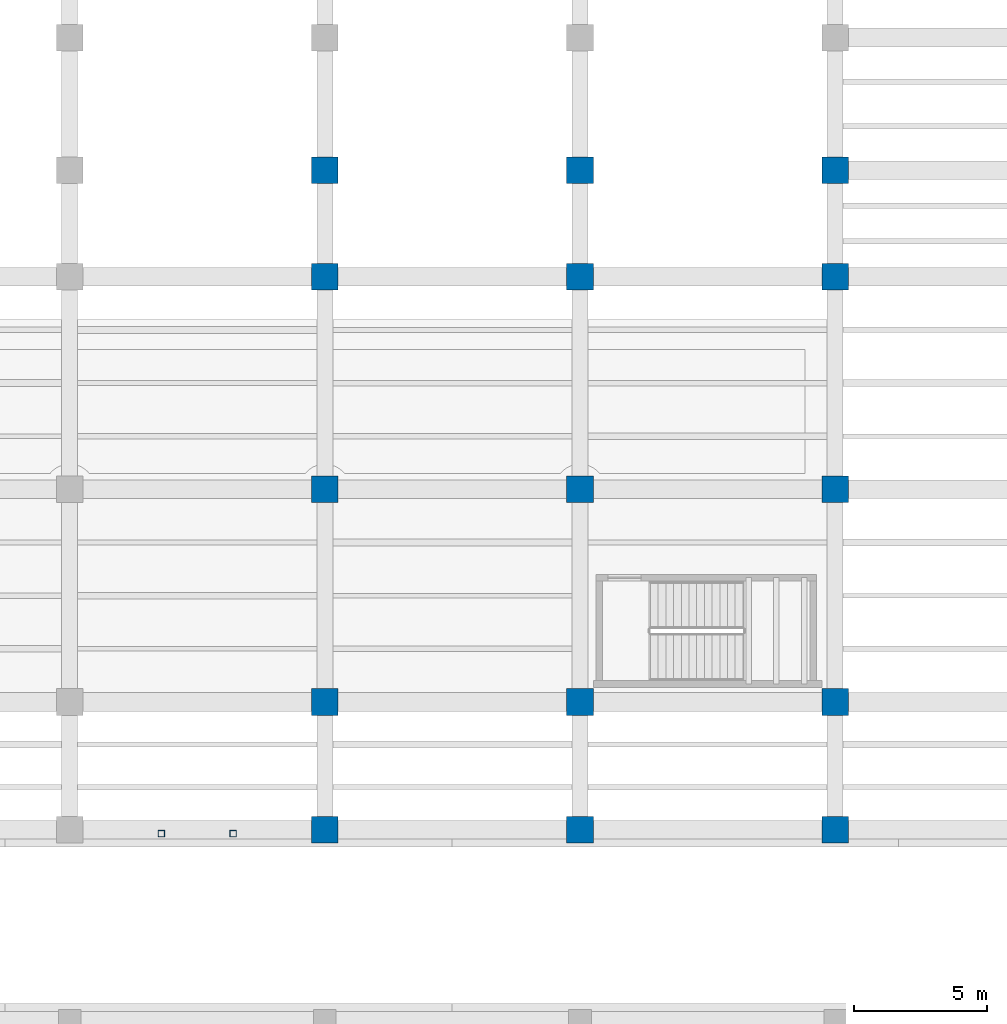
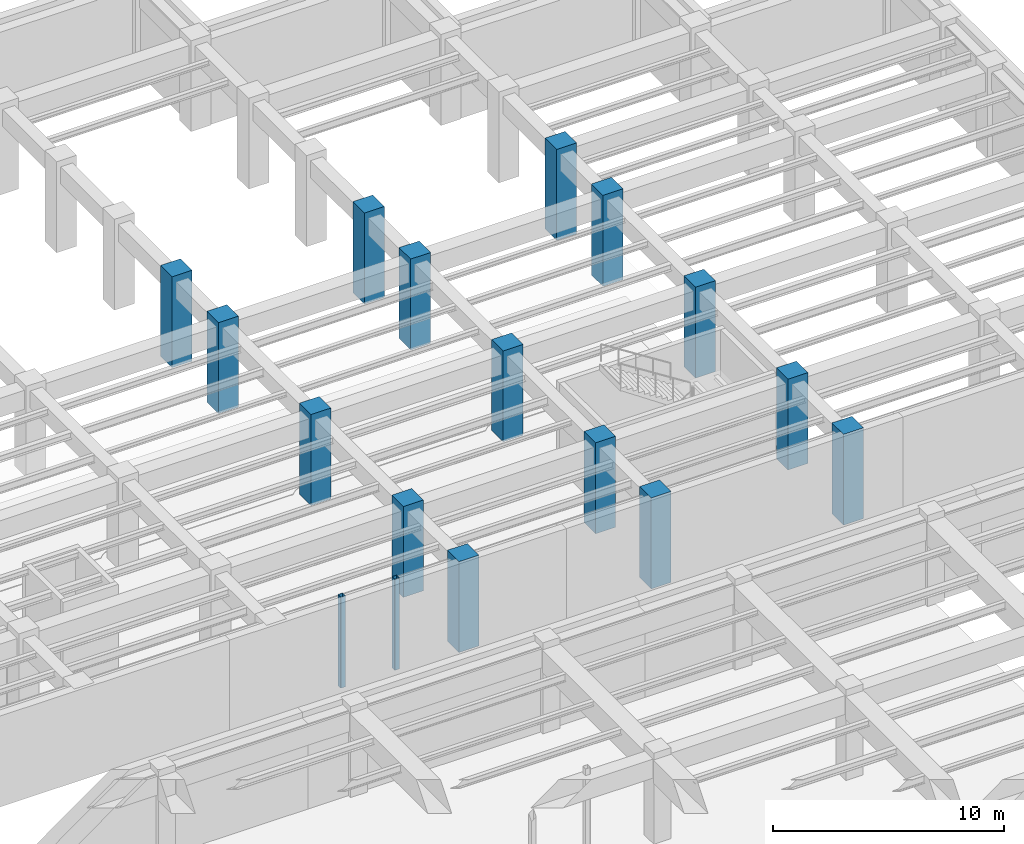
# One storey, part 13 of 45: 17 columns.
"""IFC4 building model written with IfcOpenShell, lengths in metres."""

from ifc_helpers import new_model, si_unit, direction, frame, origin, origin_2d, place, context, subcontext, project, spatial, rectangle, hollow_rectangle, extrude, material, material_profile, profile_set, type_object, element, save


model = new_model("IFC4")

# Units and contexts
model_context = context("Model", 3, precision=1e-05, world=origin(), true_north=direction((0.0, 1.0)))
body_context = subcontext(model_context, "Body", "Model", "MODEL_VIEW")
ifc_project = project(units=[si_unit("LENGTHUNIT", "METRE"), si_unit("AREAUNIT", "SQUARE_METRE"), si_unit("VOLUMEUNIT", "CUBIC_METRE"), si_unit("PLANEANGLEUNIT", "RADIAN"), si_unit("MASSUNIT", "GRAM", prefix="KILO")], contexts=[model_context])

# Site, building, storey
site_placement = place(None, origin())
site = spatial("IfcSite", under=ifc_project, at=site_placement, CompositionType="ELEMENT")
building_placement = place(site_placement, origin())
building = spatial("IfcBuilding", under=site, at=building_placement, Name="Mavantir Sound Aquarium", CompositionType="ELEMENT")
storey_placement = place(building_placement, frame((0.0, 0.0, -4.800048828125)))
storey = spatial("IfcBuildingStorey", under=building, at=storey_placement, Name="B1", CompositionType="ELEMENT", Elevation=-4.800048828125)

# Columns
ifc_material_1 = material(Name="Concrete C40/50", Category="concrete")
ifc_material_profile_1 = material_profile(ifc_material_1, rectangle(XDim=1.0, YDim=1.0, at=origin_2d()), Name="RC 1000X1000")
ifc_profile_set_1 = profile_set([ifc_material_profile_1], Name="Concrete C40/50")
column_type_1 = type_object("IfcColumnType", Name="COL-RC1000-I", PredefinedType="COLUMN", material=ifc_profile_set_1)
for number, where, z_axis, x_axis, name in (
    (1, (136.800048828125, 36.0, 0.0), (0.0, 0.0, 1.0), (1.0, 0.0, 0.0), "B1 column RC-C10 (V4)"),
    (2, (136.800048828125, 40.800048828125, 0.0), (0.0, 0.0, 1.0), (1.0, 0.0, 0.0), "B1 column RC-C10 (V4)"),
    (3, (136.800048828125, 48.800048828125, 0.0), (0.0, 0.0, 1.0), (1.0, 0.0, 0.0), "B1 column RC-C10 (V4)"),
    (4, (136.800048828125, 56.800048828125, 0.0), (0.0, 0.0, 1.0), (1.0, 0.0, 0.0), "B1 column RC-C10 (V4)"),
    (5, (136.800048828125, 60.800048828125, 0.0), (0.0, 0.0, 1.0), (1.0, 0.0, 0.0), "B1 column RC-C10 (V4)"),
    (6, (146.39990234375, 36.0, 0.0), (0.0, 0.0, 1.0), (1.0, 0.0, 0.0), "B1 column RC-C10 (V4)"),
    (7, (146.39990234375, 40.800048828125, 0.0), (0.0, 0.0, 1.0), (1.0, 0.0, 0.0), "B1 column RC-C10 (V4)"),
    (8, (146.39990234375, 48.800048828125, 0.0), (0.0, 0.0, 1.0), (1.0, 0.0, 0.0), "B1 column RC-C10 (V4)"),
    (9, (146.39990234375, 56.800048828125, 0.0), (0.0, 0.0, 1.0), (1.0, 0.0, 0.0), "B1 column RC-C10 (V4)"),
    (10, (146.39990234375, 60.800048828125, 0.0), (0.0, 0.0, 1.0), (1.0, 0.0, 0.0), "B1 column RC-C10 (V4)"),
    (11, (156.0, 36.0, 0.0), (0.0, 0.0, 1.0), (1.0, 0.0, 0.0), "B1 column RC-C10 (V4)"),
    (12, (156.0, 40.800048828125, 0.0), (0.0, 0.0, 1.0), (1.0, 0.0, 0.0), "B1 column RC-C10 (V4)"),
    (13, (156.0, 48.800048828125, 0.0), (0.0, 0.0, 1.0), (1.0, 0.0, 0.0), "B1 column RC-C10 (V4)"),
    (14, (156.0, 56.800048828125, 0.0), (0.0, 0.0, 1.0), (1.0, 0.0, 0.0), "B1 column RC-C10 (V4)"),
    (15, (156.0, 60.800048828125, 0.0), (0.0, 0.0, 1.0), (1.0, 0.0, 0.0), "B1 column RC-C10 (V4)"),
):
    element("IfcColumn", number, at=place(storey_placement, frame(where, z_axis=z_axis, x_axis=x_axis)), inside=storey, type_object=column_type_1, Name=name, PredefinedType="COLUMN", context=body_context, shape_type="SweptSolid", body=[
        extrude(rectangle(XDim=1.0, YDim=1.0, at=origin_2d()), origin(), (0.0, 0.0, 1.0), 4.800048828125),
    ])
ifc_material_2 = material(Name="Hollow Structural Steel ASTM A500 GrC", Category="steel")
ifc_material_profile_2 = material_profile(ifc_material_2, hollow_rectangle(XDim=0.25, YDim=0.25, WallThickness=0.012451171875, InnerFilletRadius=0.012451171875, OuterFilletRadius=0.02490234375, at=origin_2d()), Name="SHS 250X250X12.5")
ifc_profile_set_2 = profile_set([ifc_material_profile_2], Name="Hollow Structural Steel ASTM A500 GrC")
column_type_2 = type_object("IfcColumnType", Name="COL-SHS250-E", PredefinedType="COLUMN", material=ifc_profile_set_2)
for number, where, z_axis, x_axis, name in (
    (16, (130.64990234375, 35.85009765625, 0.0), (0.0, 0.0, 1.0), (1.0, 0.0, 0.0), "Bridge support column 4.2 (B1)"),
    (17, (133.35009765625, 35.85009765625, 0.0), (0.0, 0.0, 1.0), (1.0, 0.0, 0.0), "Bridge support column 4.4 (B1)"),
):
    element("IfcColumn", number, at=place(storey_placement, frame(where, z_axis=z_axis, x_axis=x_axis)), inside=storey, type_object=column_type_2, Name=name, PredefinedType="COLUMN", context=body_context, shape_type="SweptSolid", body=[
        extrude(hollow_rectangle(XDim=0.25, YDim=0.25, WallThickness=0.012451171875, InnerFilletRadius=0.012451171875, OuterFilletRadius=0.02490234375, at=origin_2d()), origin(), (0.0, 0.0, 1.0), 4.800048828125),
    ])

save(model, "model.ifc")
